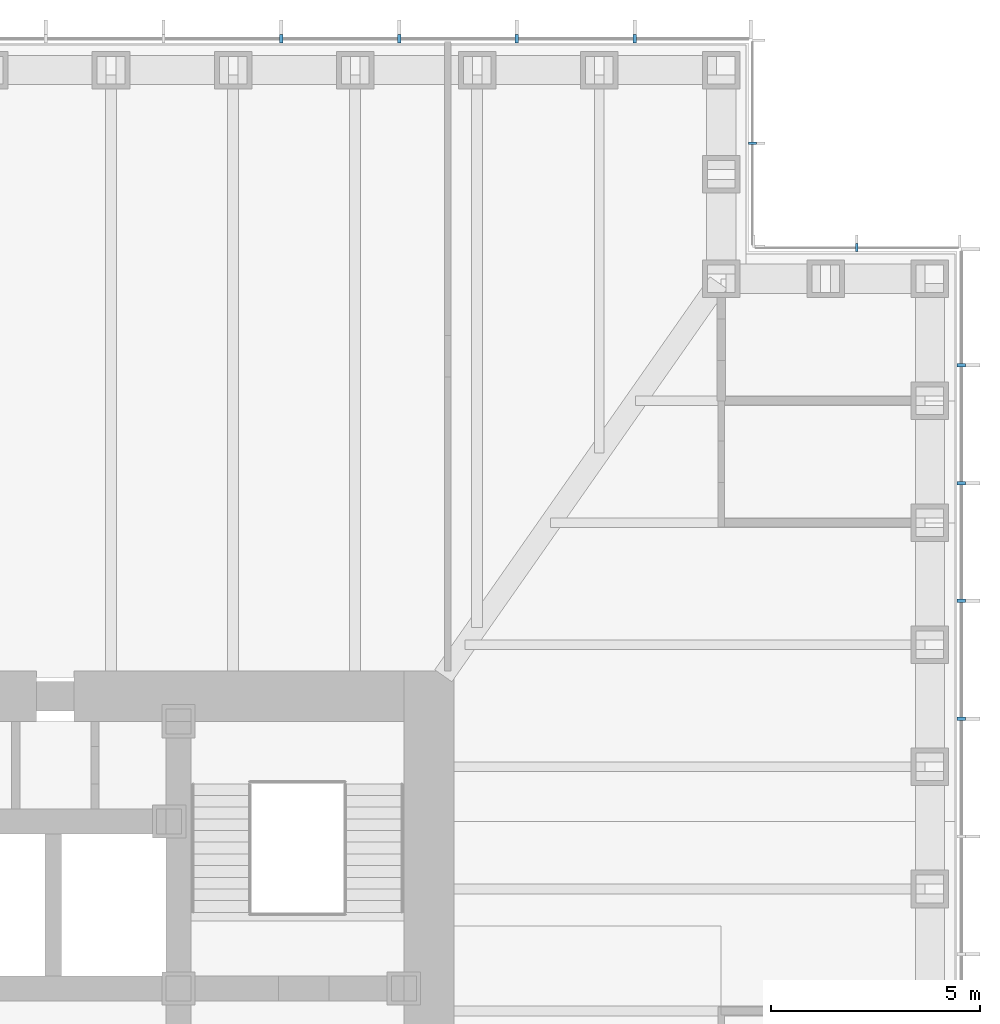
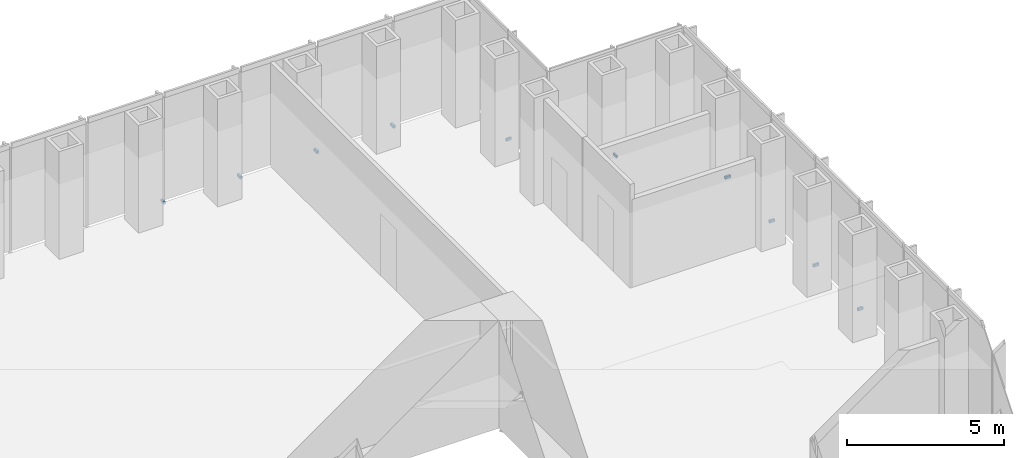
# One storey, part 15 of 16: 10 discrete accessories.
"""IFC4 building model written with IfcOpenShell, lengths in metres."""

import ifcopenshell
import ifcopenshell.guid

model = None  # the IFC model being written
_history = None  # IfcOwnerHistory: only IFC2X3 demands one
_inside = {}  # id of a spatial element -> (the spatial element, [elements in it])
_under = {}  # id of a project, library or spatial element -> (it, [spatial elements below it])
_declared = {}  # id of a project -> (the project, [libraries it declares])
_typed = {}  # id of a type object -> (the type object, [elements of that type])
_made_of = {}  # id of a material, layer set ... -> (it, [elements and type objects made of it])


def new_model(schema):
    """Start an empty IFC model of exactly this schema.

    Asked for "IFC4X3", IfcOpenShell would pick the latest addendum, in which some entities
    have other attributes; the version numbers below select the first issue.
    IFC2X3 requires an IfcOwnerHistory on every rooted entity: one is made here for all.
    """
    global model, _history
    if schema == "IFC4X3":
        model = ifcopenshell.file(schema_version=(4, 3, 0, 0))
    else:
        model = ifcopenshell.file(schema=schema)
    _inside.clear()
    _under.clear()
    _declared.clear()
    _typed.clear()
    _made_of.clear()
    _history = None
    if model.schema == "IFC2X3":
        org = make("IfcOrganization", Name="unknown")
        user = make(
            "IfcPersonAndOrganization",
            ThePerson=make("IfcPerson", FamilyName="unknown"),
            TheOrganization=org,
        )
        app = make(
            "IfcApplication",
            ApplicationDeveloper=org,
            Version="unknown",
            ApplicationFullName="unknown",
            ApplicationIdentifier="unknown",
        )
        _history = make(
            "IfcOwnerHistory",
            OwningUser=user,
            OwningApplication=app,
            ChangeAction="ADDED",
            CreationDate=0,
        )
    return model


def make(cls, **values):
    """One entity of the class cls with the attributes given. An attribute that is None is left unset."""
    return model.create_entity(
        cls, **{name: value for name, value in values.items() if value is not None}
    )


def rooted(cls, **values):
    """An entity with a GlobalId (a new one), such as an element, a storey or a relation."""
    return make(cls, GlobalId=ifcopenshell.guid.new(), OwnerHistory=_history, **values)


def si_unit(unit_type, name, prefix=None):
    """IfcSIUnit, for example si_unit("LENGTHUNIT", "METRE", prefix="MILLI")."""
    return make("IfcSIUnit", UnitType=unit_type, Prefix=prefix, Name=name)


def assignment(units):
    """IfcUnitAssignment: the units of a project."""
    return None if units is None else make("IfcUnitAssignment", Units=units)


def point(xyz):
    """IfcCartesianPoint."""
    return None if xyz is None else make("IfcCartesianPoint", Coordinates=xyz)


def direction(xyz):
    """IfcDirection."""
    return None if xyz is None else make("IfcDirection", DirectionRatios=xyz)


def frame(location, z_axis=None, x_axis=None):
    """IfcAxis2Placement3D, a coordinate frame: its origin and axes. An axis left out is left unset."""
    return make(
        "IfcAxis2Placement3D",
        Location=point(location),
        Axis=direction(z_axis),
        RefDirection=direction(x_axis),
    )


def frame_2d(location, x_axis=None):
    """IfcAxis2Placement2D, a coordinate frame in the plane: its origin and x axis."""
    return make(
        "IfcAxis2Placement2D", Location=point(location), RefDirection=direction(x_axis)
    )


def origin():
    """The frame at (0, 0, 0) with its axes left unset."""
    return frame((0.0, 0.0, 0.0))


def origin_2d():
    """The frame at (0, 0) in the plane with its x axis left unset."""
    return frame_2d((0.0, 0.0))


def place(relative_to, where):
    """IfcLocalPlacement: puts the frame where relative to a parent placement (None: the world)."""
    return make(
        "IfcLocalPlacement", PlacementRelTo=relative_to, RelativePlacement=where
    )


def context(
    kind, dimensions, precision=None, world=None, true_north=None, identifier=None
):
    """IfcGeometricRepresentationContext, for example the 3D "Model" context."""
    return make(
        "IfcGeometricRepresentationContext",
        ContextIdentifier=identifier,
        ContextType=kind,
        CoordinateSpaceDimension=dimensions,
        Precision=precision,
        WorldCoordinateSystem=world,
        TrueNorth=true_north,
    )


def subcontext(parent, identifier, kind, view, scale=None):
    """IfcGeometricRepresentationSubContext, for example "Body" below "Model"."""
    return make(
        "IfcGeometricRepresentationSubContext",
        ContextIdentifier=identifier,
        ContextType=kind,
        ParentContext=parent,
        TargetScale=scale,
        TargetView=view,
    )


def project(units=None, contexts=None):
    """IfcProject with its units and contexts."""
    return rooted(
        "IfcProject",
        Name="project",
        RepresentationContexts=contexts,
        UnitsInContext=assignment(units),
    )


def spatial(cls, under=None, at=None, **own):
    """A site, building, storey or space (cls), placed at a placement, below another one or the project."""
    s = rooted(cls, ObjectPlacement=at, **own)
    if under is not None:
        _under.setdefault(under.id(), (under, []))[1].append(s)
    return s


def profile(cls, at=None, kind="AREA", **sizes):
    """A parametric profile (cls). Its sizes go by their IFC names, for example OverallWidth=200.0."""
    return make(cls, ProfileType=kind, Position=at, **sizes)


def rectangle(**sizes):
    """IfcRectangleProfileDef."""
    return profile("IfcRectangleProfileDef", **sizes)


def extrude(swept, where, along, depth):
    """IfcExtrudedAreaSolid: the profile swept, set in the frame where, extruded along a direction by depth."""
    return make(
        "IfcExtrudedAreaSolid",
        SweptArea=swept,
        Position=where,
        ExtrudedDirection=direction(along),
        Depth=depth,
    )


def shape(context_of_items, identifier, shape_type, items):
    """IfcShapeRepresentation: the items that make up one representation, for example the "Body"."""
    return make(
        "IfcShapeRepresentation",
        ContextOfItems=context_of_items,
        RepresentationIdentifier=identifier,
        RepresentationType=shape_type,
        Items=items,
    )


def made_of(thing, what):
    """Note that an element or type object is made of a material, layer set ...; save() writes the relation."""
    if what is not None:
        _made_of.setdefault(what.id(), (what, []))[1].append(thing)
    return thing


def element(
    cls,
    number,
    at=None,
    inside=None,
    cuts=None,
    type_object=None,
    material=None,
    context=None,
    identifier="Body",
    shape_type=None,
    held_by="IfcProductDefinitionShape",
    body=None,
    shapes=None,
    **own,
):
    """One element of the class cls, such as IfcWall. Its Tag is "e" and its number.

    at: its placement. inside: the storey or other place that contains it. cuts: it is an
    opening in that element (IfcRelVoidsElement). A single representation is given by context,
    identifier, shape_type and body (its items); several are given by shapes. held_by: the class
    of the entity that holds the representations. save() writes the other relations.
    """
    e = rooted(cls, Tag="e%d" % number, ObjectPlacement=at, **own)
    if body is not None:
        shapes = [shape(context, identifier, shape_type, body)]
    if shapes is not None:
        e.Representation = make(held_by, Representations=shapes)
    if inside is not None:
        _inside.setdefault(inside.id(), (inside, []))[1].append(e)
    if cuts is not None:
        rooted(
            "IfcRelVoidsElement", RelatingBuildingElement=cuts, RelatedOpeningElement=e
        )
    if type_object is not None:
        _typed.setdefault(type_object.id(), (type_object, []))[1].append(e)
    return made_of(e, material)


def aggregate(whole, parts):
    """IfcRelAggregates: a whole, such as a stair, and the parts it consists of."""
    return rooted("IfcRelAggregates", RelatingObject=whole, RelatedObjects=parts)


def save(model, path):
    """Write the relations noted so far, then the file.

    IfcRelAggregates (storeys below a building ...), IfcRelContainedInSpatialStructure (elements
    in a storey), IfcRelDefinesByType, IfcRelAssociatesMaterial and IfcRelDeclares: one each for
    every whole, place, type object, material and project.
    """
    for whole, parts in _under.values():
        aggregate(whole, parts)
    for where, things in _inside.values():
        rooted(
            "IfcRelContainedInSpatialStructure",
            RelatedElements=things,
            RelatingStructure=where,
        )
    for kind, things in _typed.values():
        rooted("IfcRelDefinesByType", RelatedObjects=things, RelatingType=kind)
    for what, things in _made_of.values():
        rooted("IfcRelAssociatesMaterial", RelatedObjects=things, RelatingMaterial=what)
    for by, libraries in _declared.values():
        rooted("IfcRelDeclares", RelatingContext=by, RelatedDefinitions=libraries)
    model.write(path)


model = new_model("IFC4")

# Units and contexts
model_context = context("Model", 3, precision=1e-05, world=origin(), true_north=direction((0.0, 1.0)))
body_context = subcontext(model_context, "Body", "Model", "MODEL_VIEW")
ifc_project = project(units=[si_unit("LENGTHUNIT", "METRE"), si_unit("AREAUNIT", "SQUARE_METRE"), si_unit("VOLUMEUNIT", "CUBIC_METRE"), si_unit("PLANEANGLEUNIT", "RADIAN"), si_unit("MASSUNIT", "GRAM", prefix="KILO")], contexts=[model_context])

# Site, building, storey
site_placement = place(None, origin())
site = spatial("IfcSite", under=ifc_project, at=site_placement, CompositionType="ELEMENT")
building_placement = place(site_placement, origin())
building = spatial("IfcBuilding", under=site, at=building_placement, Name="Daluyong Arena Tower", CompositionType="ELEMENT")
storey_placement = place(building_placement, frame((0.0, 0.0, 72.699951171875)))
storey = spatial("IfcBuildingStorey", under=building, at=storey_placement, Name="L15", CompositionType="ELEMENT", Elevation=72.699951171875)

# Discrete accessories
for number, where, z_axis, x_axis, name in (
    (1, (80.75, 88.46435546875, -0.10009765625), (0.0, 0.0, 1.0), (0.0, 1.0, 0.0), "curtain wall L15 E anchor bracket 11"),
    (2, (80.75, 91.28564453125, -0.10009765625), (0.0, 0.0, 1.0), (0.0, 1.0, 0.0), "curtain wall L15 E anchor bracket 12"),
    (3, (80.75, 94.107177734375, -0.10009765625), (0.0, 0.0, 1.0), (0.0, 1.0, 0.0), "curtain wall L15 E anchor bracket 13"),
    (4, (80.75, 96.928466796875, -0.10009765625), (0.0, 0.0, 1.0), (0.0, 1.0, 0.0), "curtain wall L15 E anchor bracket 14"),
):
    element("IfcDiscreteAccessory", number, at=place(storey_placement, frame(where, z_axis=z_axis, x_axis=x_axis)), inside=storey, Name=name, PredefinedType="BRACKET", context=body_context, shape_type="SweptSolid", body=[
        extrude(rectangle(XDim=0.080078125, YDim=0.199951171875, at=origin_2d()), origin(), (0.0, 0.0, 1.0), 0.10009765625),
    ])
for number, where, z_axis, x_axis, name in (
    (5, (78.25, 99.75, -0.10009765625), (0.0, 0.0, 1.0), (-1.0, 0.0, 0.0), "curtain wall L15 NE-N anchor bracket 2"),
    (6, (75.75, 102.25, -0.10009765625), (0.0, 0.0, 1.0), (0.0, 1.0, 0.0), "curtain wall L15 NE-E anchor bracket 2"),
):
    element("IfcDiscreteAccessory", number, at=place(storey_placement, frame(where, z_axis=z_axis, x_axis=x_axis)), inside=storey, Name=name, PredefinedType="BRACKET", context=body_context, shape_type="SweptSolid", body=[
        extrude(rectangle(XDim=0.06005859375, YDim=0.199951171875, at=origin_2d()), origin(), (0.0, 0.0, 1.0), 0.10009765625),
    ])
for number, where, z_axis, x_axis, name in (
    (7, (72.928466796875, 104.75, -0.10009765625), (0.0, 0.0, 1.0), (-1.0, 0.0, 0.0), "curtain wall L15 N anchor bracket 2"),
    (8, (70.107177734375, 104.75, -0.10009765625), (0.0, 0.0, 1.0), (-1.0, 0.0, 0.0), "curtain wall L15 N anchor bracket 3"),
    (9, (67.28564453125, 104.75, -0.10009765625), (0.0, 0.0, 1.0), (-1.0, 0.0, 0.0), "curtain wall L15 N anchor bracket 4"),
    (10, (64.46435546875, 104.75, -0.10009765625), (0.0, 0.0, 1.0), (-1.0, 0.0, 0.0), "curtain wall L15 N anchor bracket 5"),
):
    element("IfcDiscreteAccessory", number, at=place(storey_placement, frame(where, z_axis=z_axis, x_axis=x_axis)), inside=storey, Name=name, PredefinedType="BRACKET", context=body_context, shape_type="SweptSolid", body=[
        extrude(rectangle(XDim=0.080078125, YDim=0.199951171875, at=origin_2d()), origin(), (0.0, 0.0, 1.0), 0.10009765625),
    ])

save(model, "model.ifc")
